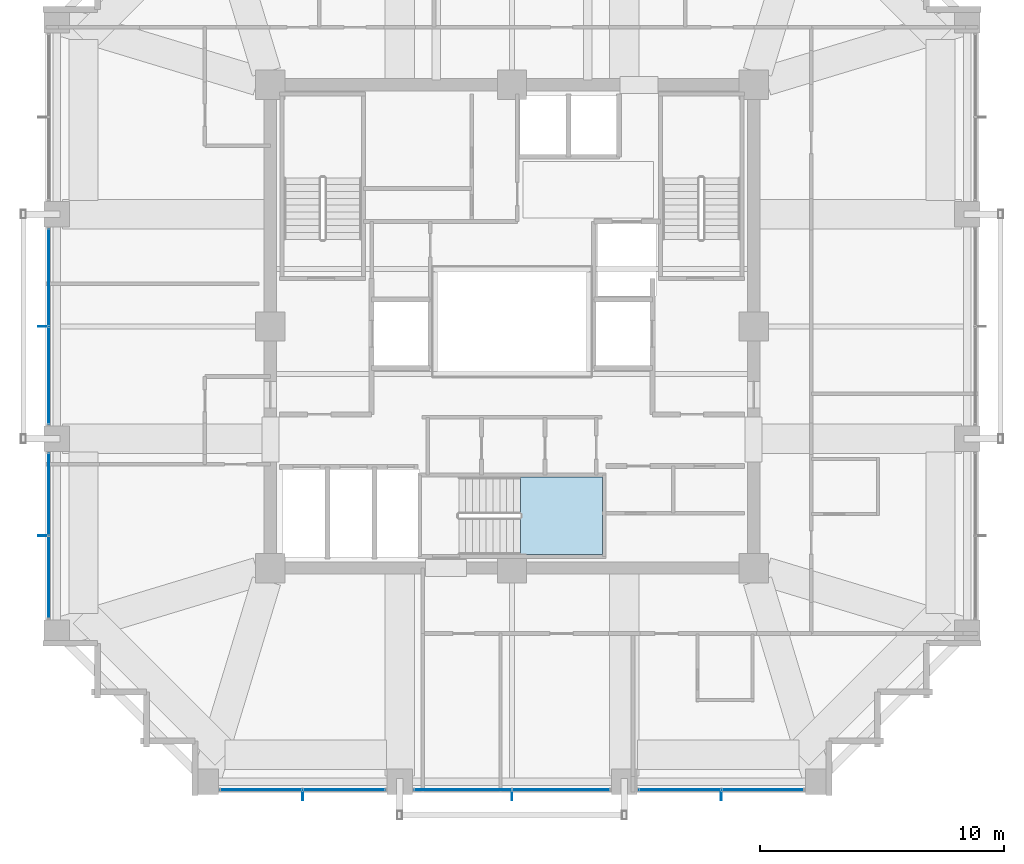
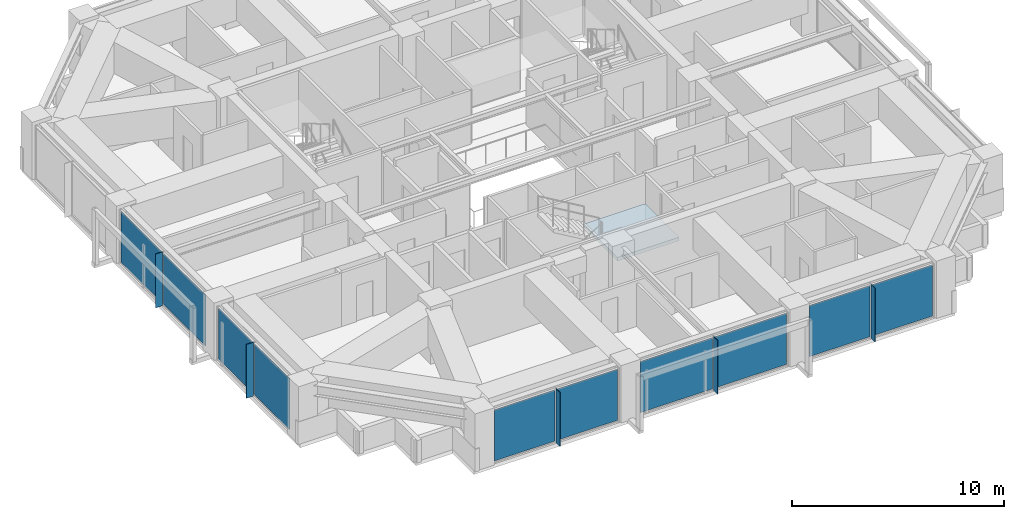
# One storey, part 19 of 28: 15 plates, 1 slab, 6 elements without a shape of their own.
"""IFC4 building model written with IfcOpenShell, lengths in metres."""

from ifc_helpers import new_model, si_unit, direction, frame, origin, origin_2d, place, context, subcontext, project, spatial, polyline, rectangle, outline, extrude, material, layer, layer_set, type_object, element, aggregate, save


model = new_model("IFC4")

# Units and contexts
model_context = context("Model", 3, precision=1e-05, world=origin(), true_north=direction((0.0, 1.0)))
body_context = subcontext(model_context, "Body", "Model", "MODEL_VIEW")
ifc_project = project(units=[si_unit("LENGTHUNIT", "METRE"), si_unit("AREAUNIT", "SQUARE_METRE"), si_unit("VOLUMEUNIT", "CUBIC_METRE"), si_unit("PLANEANGLEUNIT", "RADIAN"), si_unit("MASSUNIT", "GRAM", prefix="KILO")], contexts=[model_context])

# Site, building, storey
site_placement = place(None, origin())
site = spatial("IfcSite", under=ifc_project, at=site_placement, CompositionType="ELEMENT")
building_placement = place(site_placement, origin())
building = spatial("IfcBuilding", under=site, at=building_placement, Name="Kolvaren Belvedere", CompositionType="ELEMENT")
storey_placement = place(building_placement, frame((0.0, 0.0, 125.0)))
storey = spatial("IfcBuildingStorey", under=building, at=storey_placement, Name="L36", CompositionType="ELEMENT", Elevation=125.0)

# Curtain wall, plates
ifc_material_1 = material(Name="Anodised pale-metal aluminium AA 6063-T6", Category="aluminium")
curtain_wall_type = type_object("IfcCurtainWallType", Name="CW-Z3-WAIST", PredefinedType="NOTDEFINED", material=ifc_material_1)
curtain_wall_1_placement = place(storey_placement, origin())
curtain_wall_1 = element("IfcCurtainWall", 1, at=curtain_wall_1_placement, inside=storey, type_object=curtain_wall_type, Name="L36 Unitised Curtain Wall FCW-L36-S-B1", PredefinedType="NOTDEFINED")
ifc_material_2 = material(Name="Low-iron triple insulated glass", Category="glass")
ifc_layer_1 = layer(ifc_material_2, 0.028076171875)
ifc_layer_set_1 = layer_set([ifc_layer_1], Name="Low-iron triple insulated glass")
plate_type_1 = type_object("IfcPlateType", Name="CW-PNL-VIS28", PredefinedType="CURTAIN_PANEL", material=ifc_layer_set_1)
plate_1_placement = place(storey_placement, frame((10.273681640625, -18.97998046875, 0.080078125), z_axis=(0.0, 0.0, 1.0), x_axis=(-1.0, 0.0, 0.0)))
plate_1 = element("IfcPlate", 2, at=plate_1_placement, type_object=plate_type_1, Name="FCW-L36-S-B1 Vision Glazing Panel 1", PredefinedType="CURTAIN_PANEL", context=body_context, shape_type="SweptSolid", body=[
    extrude(rectangle(XDim=3.3173828125, YDim=0.028076171875, at=origin_2d()), origin(), (0.0, 0.0, 1.0), 2.93994140625),
])
plate_2_placement = place(storey_placement, frame((6.876220703125, -18.97998046875, 0.080078125), z_axis=(0.0, 0.0, 1.0), x_axis=(-1.0, 0.0, 0.0)))
plate_2 = element("IfcPlate", 3, at=plate_2_placement, type_object=plate_type_1, Name="FCW-L36-S-B1 Vision Glazing Panel 2", PredefinedType="CURTAIN_PANEL", context=body_context, shape_type="SweptSolid", body=[
    extrude(rectangle(XDim=3.3173828125, YDim=0.028076171875, at=origin_2d()), origin(), (0.0, 0.0, 1.0), 2.93994140625),
])
aggregate(curtain_wall_1, [plate_1, plate_2])

curtain_wall_2_placement = place(storey_placement, origin())
curtain_wall_2 = element("IfcCurtainWall", 4, at=curtain_wall_2_placement, inside=storey, type_object=curtain_wall_type, Name="L36 Unitised Curtain Wall FCW-L36-S-B2", PredefinedType="NOTDEFINED")
plate_3_placement = place(storey_placement, frame((2.01123046875, -18.97998046875, 0.080078125), z_axis=(0.0, 0.0, 1.0), x_axis=(-1.0, 0.0, 0.0)))
plate_3 = element("IfcPlate", 5, at=plate_3_placement, type_object=plate_type_1, Name="FCW-L36-S-B2 Vision Glazing Panel 1", PredefinedType="CURTAIN_PANEL", context=body_context, shape_type="SweptSolid", body=[
    extrude(rectangle(XDim=3.9423828125, YDim=0.028076171875, at=origin_2d()), origin(), (0.0, 0.0, 1.0), 2.93994140625),
])
plate_4_placement = place(storey_placement, frame((-2.01123046875, -18.97998046875, 0.080078125), z_axis=(0.0, 0.0, 1.0), x_axis=(-1.0, 0.0, 0.0)))
plate_4 = element("IfcPlate", 6, at=plate_4_placement, type_object=plate_type_1, Name="FCW-L36-S-B2 Vision Glazing Panel 2", PredefinedType="CURTAIN_PANEL", context=body_context, shape_type="SweptSolid", body=[
    extrude(rectangle(XDim=3.9423828125, YDim=0.028076171875, at=origin_2d()), origin(), (0.0, 0.0, 1.0), 2.93994140625),
])
aggregate(curtain_wall_2, [plate_3, plate_4])

curtain_wall_3_placement = place(storey_placement, origin())
curtain_wall_3 = element("IfcCurtainWall", 7, at=curtain_wall_3_placement, inside=storey, type_object=curtain_wall_type, Name="L36 Unitised Curtain Wall FCW-L36-S-B3", PredefinedType="NOTDEFINED")
plate_5_placement = place(storey_placement, frame((-6.876220703125, -18.97998046875, 0.080078125), z_axis=(0.0, 0.0, 1.0), x_axis=(-1.0, 0.0, 0.0)))
plate_5 = element("IfcPlate", 8, at=plate_5_placement, type_object=plate_type_1, Name="FCW-L36-S-B3 Vision Glazing Panel 1", PredefinedType="CURTAIN_PANEL", context=body_context, shape_type="SweptSolid", body=[
    extrude(rectangle(XDim=3.3173828125, YDim=0.028076171875, at=origin_2d()), origin(), (0.0, 0.0, 1.0), 2.93994140625),
])
plate_6_placement = place(storey_placement, frame((-10.273681640625, -18.97998046875, 0.080078125), z_axis=(0.0, 0.0, 1.0), x_axis=(-1.0, 0.0, 0.0)))
plate_6 = element("IfcPlate", 9, at=plate_6_placement, type_object=plate_type_1, Name="FCW-L36-S-B3 Vision Glazing Panel 2", PredefinedType="CURTAIN_PANEL", context=body_context, shape_type="SweptSolid", body=[
    extrude(rectangle(XDim=3.3173828125, YDim=0.028076171875, at=origin_2d()), origin(), (0.0, 0.0, 1.0), 2.93994140625),
])
aggregate(curtain_wall_3, [plate_5, plate_6])

curtain_wall_4_placement = place(storey_placement, origin())
curtain_wall_4 = element("IfcCurtainWall", 10, at=curtain_wall_4_placement, inside=storey, type_object=curtain_wall_type, Name="L36 Unitised Curtain Wall FCW-L36-W-B1", PredefinedType="NOTDEFINED")
plate_7_placement = place(storey_placement, frame((-18.97998046875, -10.273681640625, 0.080078125), z_axis=(0.0, 0.0, 1.0), x_axis=(0.0, 1.0, 0.0)))
plate_7 = element("IfcPlate", 11, at=plate_7_placement, type_object=plate_type_1, Name="FCW-L36-W-B1 Vision Glazing Panel 1", PredefinedType="CURTAIN_PANEL", context=body_context, shape_type="SweptSolid", body=[
    extrude(rectangle(XDim=3.3173828125, YDim=0.028076171875, at=origin_2d()), origin(), (0.0, 0.0, 1.0), 2.93994140625),
])
plate_8_placement = place(storey_placement, frame((-18.97998046875, -6.876220703125, 0.080078125), z_axis=(0.0, 0.0, 1.0), x_axis=(0.0, 1.0, 0.0)))
plate_8 = element("IfcPlate", 12, at=plate_8_placement, type_object=plate_type_1, Name="FCW-L36-W-B1 Vision Glazing Panel 2", PredefinedType="CURTAIN_PANEL", context=body_context, shape_type="SweptSolid", body=[
    extrude(rectangle(XDim=3.3173828125, YDim=0.028076171875, at=origin_2d()), origin(), (0.0, 0.0, 1.0), 2.93994140625),
])
aggregate(curtain_wall_4, [plate_7, plate_8])

curtain_wall_5_placement = place(storey_placement, origin())
curtain_wall_5 = element("IfcCurtainWall", 13, at=curtain_wall_5_placement, inside=storey, type_object=curtain_wall_type, Name="L36 Unitised Curtain Wall FCW-L36-W-B2", PredefinedType="NOTDEFINED")
plate_9_placement = place(storey_placement, frame((-18.97998046875, -2.01123046875, 0.080078125), z_axis=(0.0, 0.0, 1.0), x_axis=(0.0, 1.0, 0.0)))
plate_9 = element("IfcPlate", 14, at=plate_9_placement, type_object=plate_type_1, Name="FCW-L36-W-B2 Vision Glazing Panel 1", PredefinedType="CURTAIN_PANEL", context=body_context, shape_type="SweptSolid", body=[
    extrude(rectangle(XDim=3.9423828125, YDim=0.028076171875, at=origin_2d()), origin(), (0.0, 0.0, 1.0), 2.93994140625),
])
plate_10_placement = place(storey_placement, frame((-18.97998046875, 2.01123046875, 0.080078125), z_axis=(0.0, 0.0, 1.0), x_axis=(0.0, 1.0, 0.0)))
plate_10 = element("IfcPlate", 15, at=plate_10_placement, type_object=plate_type_1, Name="FCW-L36-W-B2 Vision Glazing Panel 2", PredefinedType="CURTAIN_PANEL", context=body_context, shape_type="SweptSolid", body=[
    extrude(rectangle(XDim=3.9423828125, YDim=0.028076171875, at=origin_2d()), origin(), (0.0, 0.0, 1.0), 2.93994140625),
])
aggregate(curtain_wall_5, [plate_9, plate_10])

# Plates
ifc_material_3 = material(Name="Anodised pale-metal aluminium AA 6063-T6", Category="aluminium")
ifc_layer_2 = layer(ifc_material_3, 0.033935546875)
ifc_layer_set_2 = layer_set([ifc_layer_2], Name="Anodised pale-metal aluminium AA 6063-T6")
plate_type_2 = type_object("IfcPlateType", Name="FIN-VERT-380", PredefinedType="USERDEFINED", material=ifc_layer_set_2)
for number, where, z_axis, x_axis, name in (
    (16, (8.574951171875, -19.219970703125, 0.0), (0.0, 0.0, 1.0), (0.0, 1.0, 0.0), "L36 Pale-Metal Vertical Shading Fin FCW-L36-S-B1-1"),
    (17, (0.0, -19.219970703125, 0.0), (0.0, 0.0, 1.0), (0.0, 1.0, 0.0), "L36 Pale-Metal Vertical Shading Fin FCW-L36-S-B2-1"),
    (18, (-8.574951171875, -19.219970703125, 0.0), (0.0, 0.0, 1.0), (0.0, 1.0, 0.0), "L36 Pale-Metal Vertical Shading Fin FCW-L36-S-B3-1"),
    (19, (-19.219970703125, -8.574951171875, 0.0), (0.0, 0.0, 1.0), (1.0, 0.0, 0.0), "L36 Pale-Metal Vertical Shading Fin FCW-L36-W-B1-1"),
    (20, (-19.219970703125, 0.0, 0.0), (0.0, 0.0, 1.0), (1.0, 0.0, 0.0), "L36 Pale-Metal Vertical Shading Fin FCW-L36-W-B2-1"),
):
    element("IfcPlate", number, at=place(storey_placement, frame(where, z_axis=z_axis, x_axis=x_axis)), inside=storey, type_object=plate_type_2, Name=name, ObjectType="VERTICAL FIN", PredefinedType="USERDEFINED", context=body_context, shape_type="SweptSolid", body=[
        extrude(rectangle(XDim=0.3798828125, YDim=0.033935546875, at=origin_2d()), origin(), (0.0, 0.0, 1.0), 3.10009765625),
    ])

# Stair, slab
ifc_material_4 = material(Name="Concrete C50/60", Category="concrete")
stair_type = type_object("IfcStairType", Name="ST-CORE-1520", PredefinedType="HALF_TURN_STAIR", material=ifc_material_4)
stair_placement = place(storey_placement, origin())
stair = element("IfcStair", 21, at=stair_placement, inside=storey, type_object=stair_type, Name="L36 Protected Exit Stair ST-3", PredefinedType="HALF_TURN_STAIR")
ifc_material_5 = material(Name="Concrete C50/60", Category="concrete")
ifc_layer_3 = layer(ifc_material_5, 0.260009765625)
ifc_layer_set_3 = layer_set([ifc_layer_3], Name="Concrete C50/60")
slab_type = type_object("IfcSlabType", Name="SL-LAND-260", PredefinedType="LANDING", material=ifc_layer_set_3)
slab_placement = place(storey_placement, frame((0.0, 0.0, 1.449951171875)))
slab = element("IfcSlab", 22, at=slab_placement, type_object=slab_type, Name="ST-3 landing 1", PredefinedType="LANDING", context=body_context, shape_type="SweptSolid", body=[
    extrude(outline(polyline([(0.340087890625, -9.35009765625), (3.699951171875, -9.35009765625), (3.699951171875, -6.159912109375), (0.340087890625, -6.159912109375), (0.340087890625, -9.35009765625)])), origin(), (0.0, 0.0, 1.0), 0.199951171875),
])
aggregate(stair, [slab])

save(model, "model.ifc")
